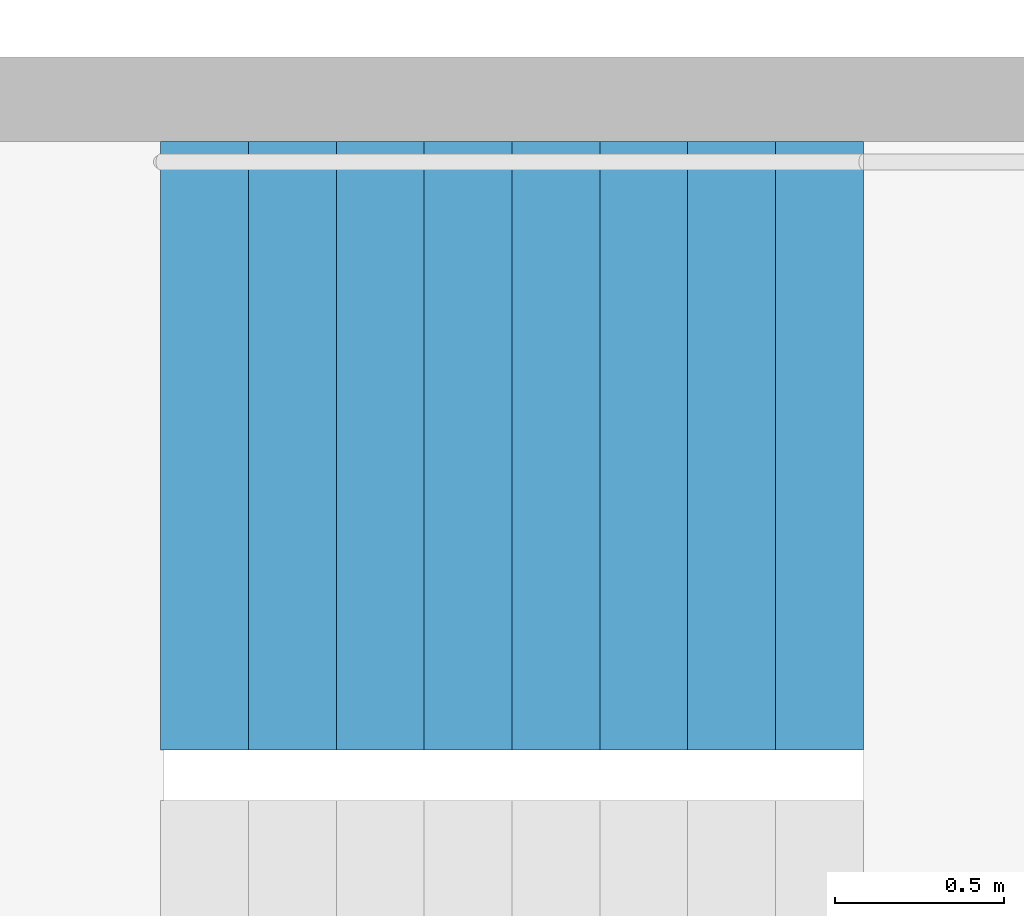
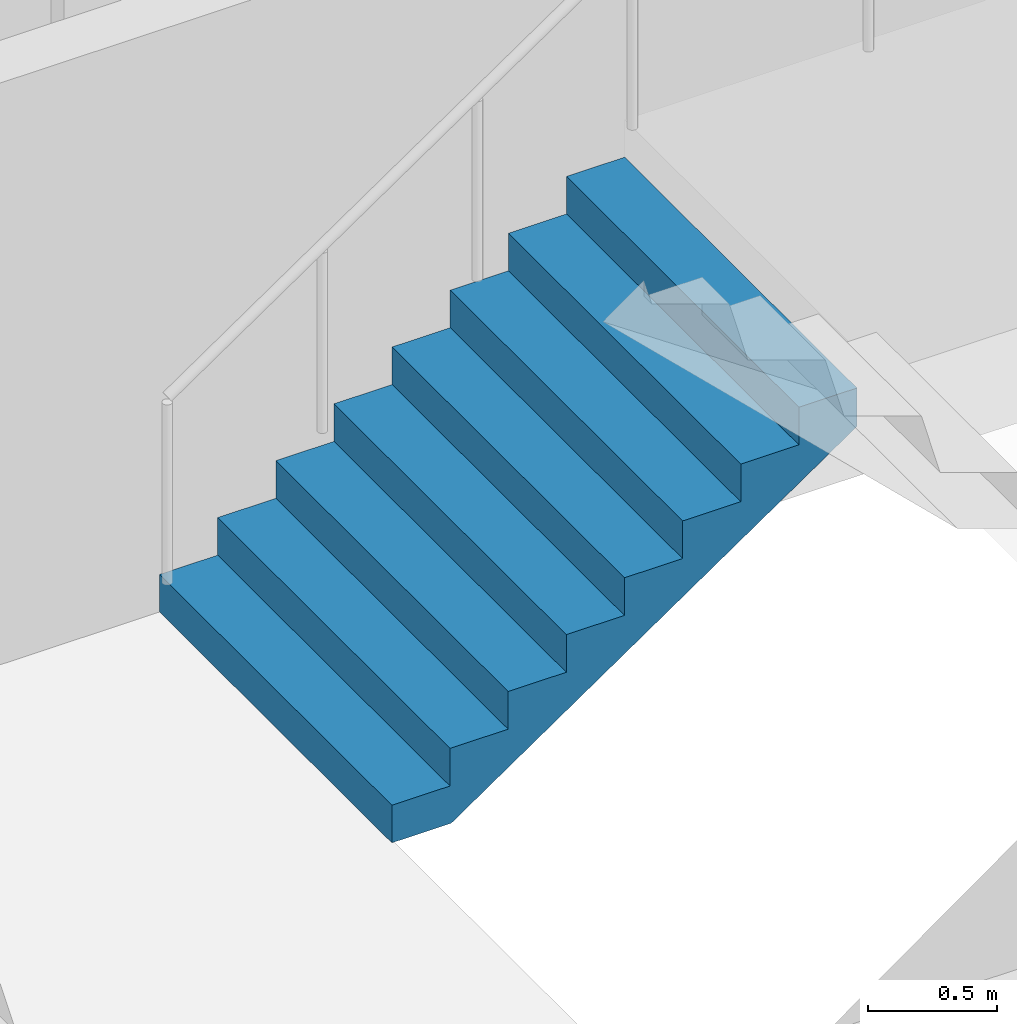
# One storey, part 23 of 26: 1 stair flight, 1 element without a shape of its own.
"""IFC4 building model written with IfcOpenShell, lengths in metres."""

from ifc_helpers import new_model, si_unit, direction, frame, origin, place, context, subcontext, project, spatial, triangles, material, type_object, element, aggregate, save


model = new_model("IFC4")

# Units and contexts
model_context = context("Model", 3, precision=1e-05, world=origin(), true_north=direction((0.0, 1.0)))
body_context = subcontext(model_context, "Body", "Model", "MODEL_VIEW")
ifc_project = project(units=[si_unit("LENGTHUNIT", "METRE"), si_unit("AREAUNIT", "SQUARE_METRE"), si_unit("VOLUMEUNIT", "CUBIC_METRE"), si_unit("PLANEANGLEUNIT", "RADIAN"), si_unit("MASSUNIT", "GRAM", prefix="KILO")], contexts=[model_context])

# Site, building, storey
site_placement = place(None, origin())
site = spatial("IfcSite", under=ifc_project, at=site_placement, CompositionType="ELEMENT")
building_placement = place(site_placement, origin())
building = spatial("IfcBuilding", under=site, at=building_placement, Name="Hakoniwa Tower and Hamabe Station Hall", CompositionType="ELEMENT")
storey_placement = place(building_placement, frame((0.0, 0.0, 251.800048828125)))
storey = spatial("IfcBuildingStorey", under=building, at=storey_placement, Name="L71", CompositionType="ELEMENT", Elevation=251.800048828125)

# Stair, stair flight
ifc_material_1 = material(Name="Concrete C40", Category="concrete")
stair_type = type_object("IfcStairType", Name="ESCAPE STAIR 1800", PredefinedType="HALF_TURN_STAIR", material=ifc_material_1)
stair_placement = place(storey_placement, origin())
stair = element("IfcStair", 1, at=stair_placement, inside=storey, type_object=stair_type, Name="Escape stair ST-4 L71", PredefinedType="HALF_TURN_STAIR")
ifc_material_2 = material(Name="Concrete C40", Category="concrete")
stair_flight_type = type_object("IfcStairFlightType", Name="STAIR FLIGHT 1800", PredefinedType="STRAIGHT", material=ifc_material_2)
stair_flight_placement = place(storey_placement, frame((23.39990234375, -4.64990234375, 0.0), z_axis=(0.0, 0.0, 1.0), x_axis=(1.0, 0.0, 0.0)))
stair_flight = element("IfcStairFlight", 2, at=stair_flight_placement, type_object=stair_flight_type, Name="ST-4 flight 1", NumberOfRisers=9, NumberOfTreads=8, PredefinedType="STRAIGHT", RiserHeight=0.177777778, TreadLength=0.26, context=body_context, shape_type="Tessellation", body=[
    triangles([(0.0, 0.89990234375, 0.0), (0.260009765625, 0.89990234375, 0.0), (0.265625, 0.89990234375, 0.0), (0.52001953125, 0.89990234375, 0.174072265625), (0.780029296875, 0.89990234375, 0.351806640625), (1.0400390625, 0.89990234375, 0.529541015625), (1.300048828125, 0.89990234375, 0.707275390625), (1.56005859375, 0.89990234375, 0.885009765625), (1.820068359375, 0.89990234375, 1.062744140625), (2.080078125, 0.89990234375, 1.24072265625), (2.080078125, 0.89990234375, 1.422119140625), (1.820068359375, 0.89990234375, 1.422119140625), (1.820068359375, 0.89990234375, 1.244384765625), (1.56005859375, 0.89990234375, 1.244384765625), (1.56005859375, 0.89990234375, 1.066650390625), (1.300048828125, 0.89990234375, 1.066650390625), (1.300048828125, 0.89990234375, 0.888916015625), (1.0400390625, 0.89990234375, 0.888916015625), (1.0400390625, 0.89990234375, 0.711181640625), (0.780029296875, 0.89990234375, 0.711181640625), (0.780029296875, 0.89990234375, 0.533447265625), (0.52001953125, 0.89990234375, 0.533447265625), (0.52001953125, 0.89990234375, 0.35546875), (0.265625, 0.89990234375, 0.35546875), (0.260009765625, 0.89990234375, 0.35546875), (0.260009765625, 0.89990234375, 0.177734375), (0.0, 0.89990234375, 0.177734375), (0.0, 0.06005859375, 0.0), (0.260009765625, 0.06005859375, 0.0), (0.265625, 0.06005859375, 0.0), (0.52001953125, 0.06005859375, 0.174072265625), (0.780029296875, 0.06005859375, 0.351806640625), (1.0400390625, 0.06005859375, 0.529541015625), (1.300048828125, 0.06005859375, 0.707275390625), (1.56005859375, 0.06005859375, 0.885009765625), (1.820068359375, 0.06005859375, 1.062744140625), (2.080078125, 0.06005859375, 1.24072265625), (2.080078125, 0.06005859375, 1.422119140625), (1.820068359375, 0.06005859375, 1.422119140625), (1.820068359375, 0.06005859375, 1.244384765625), (1.56005859375, 0.06005859375, 1.244384765625), (1.56005859375, 0.06005859375, 1.066650390625), (1.300048828125, 0.06005859375, 1.066650390625), (1.300048828125, 0.06005859375, 0.888916015625), (1.0400390625, 0.06005859375, 0.888916015625), (1.0400390625, 0.06005859375, 0.711181640625), (0.780029296875, 0.06005859375, 0.711181640625), (0.780029296875, 0.06005859375, 0.533447265625), (0.52001953125, 0.06005859375, 0.533447265625), (0.52001953125, 0.06005859375, 0.35546875), (0.265625, 0.06005859375, 0.35546875), (0.260009765625, 0.06005859375, 0.35546875), (0.260009765625, 0.06005859375, 0.177734375), (0.0, 0.06005859375, 0.177734375), (0.0, 0.04296875, 0.0), (0.260009765625, 0.04296875, 0.0), (0.265625, 0.04296875, 0.0), (0.52001953125, 0.04296875, 0.174072265625), (0.780029296875, 0.04296875, 0.351806640625), (1.0400390625, 0.04296875, 0.529541015625), (1.300048828125, 0.04296875, 0.707275390625), (1.56005859375, 0.04296875, 0.885009765625), (1.820068359375, 0.04296875, 1.062744140625), (2.080078125, 0.04296875, 1.24072265625), (2.080078125, 0.04296875, 1.422119140625), (1.820068359375, 0.04296875, 1.422119140625), (1.820068359375, 0.04296875, 1.244384765625), (1.56005859375, 0.04296875, 1.244384765625), (1.56005859375, 0.04296875, 1.066650390625), (1.300048828125, 0.04296875, 1.066650390625), (1.300048828125, 0.04296875, 0.888916015625), (1.0400390625, 0.04296875, 0.888916015625), (1.0400390625, 0.04296875, 0.711181640625), (0.780029296875, 0.04296875, 0.711181640625), (0.780029296875, 0.04296875, 0.533447265625), (0.52001953125, 0.04296875, 0.533447265625), (0.52001953125, 0.04296875, 0.35546875), (0.265625, 0.04296875, 0.35546875), (0.260009765625, 0.04296875, 0.35546875), (0.260009765625, 0.04296875, 0.177734375), (0.0, 0.04296875, 0.177734375), (0.0, 0.025634765625, 0.0), (0.260009765625, 0.025634765625, 0.0), (0.265625, 0.025634765625, 0.0), (0.52001953125, 0.025634765625, 0.174072265625), (0.780029296875, 0.025634765625, 0.351806640625), (1.0400390625, 0.025634765625, 0.529541015625), (1.300048828125, 0.025634765625, 0.707275390625), (1.56005859375, 0.025634765625, 0.885009765625), (1.820068359375, 0.025634765625, 1.062744140625), (2.080078125, 0.025634765625, 1.24072265625), (2.080078125, 0.025634765625, 1.422119140625), (1.820068359375, 0.025634765625, 1.422119140625), (1.820068359375, 0.025634765625, 1.244384765625), (1.56005859375, 0.025634765625, 1.244384765625), (1.56005859375, 0.025634765625, 1.066650390625), (1.300048828125, 0.025634765625, 1.066650390625), (1.300048828125, 0.025634765625, 0.888916015625), (1.0400390625, 0.025634765625, 0.888916015625), (1.0400390625, 0.025634765625, 0.711181640625), (0.780029296875, 0.025634765625, 0.711181640625), (0.780029296875, 0.025634765625, 0.533447265625), (0.52001953125, 0.025634765625, 0.533447265625), (0.52001953125, 0.025634765625, 0.35546875), (0.265625, 0.025634765625, 0.35546875), (0.260009765625, 0.025634765625, 0.35546875), (0.260009765625, 0.025634765625, 0.177734375), (0.0, 0.025634765625, 0.177734375), (0.0, 0.008544921875, 0.0), (0.260009765625, 0.008544921875, 0.0), (0.265625, 0.008544921875, 0.0), (0.52001953125, 0.008544921875, 0.174072265625), (0.780029296875, 0.008544921875, 0.351806640625), (1.0400390625, 0.008544921875, 0.529541015625), (1.300048828125, 0.008544921875, 0.707275390625), (1.56005859375, 0.008544921875, 0.885009765625), (1.820068359375, 0.008544921875, 1.062744140625), (2.080078125, 0.008544921875, 1.24072265625), (2.080078125, 0.008544921875, 1.422119140625), (1.820068359375, 0.008544921875, 1.422119140625), (1.820068359375, 0.008544921875, 1.244384765625), (1.56005859375, 0.008544921875, 1.244384765625), (1.56005859375, 0.008544921875, 1.066650390625), (1.300048828125, 0.008544921875, 1.066650390625), (1.300048828125, 0.008544921875, 0.888916015625), (1.0400390625, 0.008544921875, 0.888916015625), (1.0400390625, 0.008544921875, 0.711181640625), (0.780029296875, 0.008544921875, 0.711181640625), (0.780029296875, 0.008544921875, 0.533447265625), (0.52001953125, 0.008544921875, 0.533447265625), (0.52001953125, 0.008544921875, 0.35546875), (0.265625, 0.008544921875, 0.35546875), (0.260009765625, 0.008544921875, 0.35546875), (0.260009765625, 0.008544921875, 0.177734375), (0.0, 0.008544921875, 0.177734375), (0.0, -0.008544921875, 0.0), (0.260009765625, -0.008544921875, 0.0), (0.265625, -0.008544921875, 0.0), (0.52001953125, -0.008544921875, 0.174072265625), (0.780029296875, -0.008544921875, 0.351806640625), (1.0400390625, -0.008544921875, 0.529541015625), (1.300048828125, -0.008544921875, 0.707275390625), (1.56005859375, -0.008544921875, 0.885009765625), (1.820068359375, -0.008544921875, 1.062744140625), (2.080078125, -0.008544921875, 1.24072265625), (2.080078125, -0.008544921875, 1.422119140625), (1.820068359375, -0.008544921875, 1.422119140625), (1.820068359375, -0.008544921875, 1.244384765625), (1.56005859375, -0.008544921875, 1.244384765625), (1.56005859375, -0.008544921875, 1.066650390625), (1.300048828125, -0.008544921875, 1.066650390625), (1.300048828125, -0.008544921875, 0.888916015625), (1.0400390625, -0.008544921875, 0.888916015625), (1.0400390625, -0.008544921875, 0.711181640625), (0.780029296875, -0.008544921875, 0.711181640625), (0.780029296875, -0.008544921875, 0.533447265625), (0.52001953125, -0.008544921875, 0.533447265625), (0.52001953125, -0.008544921875, 0.35546875), (0.265625, -0.008544921875, 0.35546875), (0.260009765625, -0.008544921875, 0.35546875), (0.260009765625, -0.008544921875, 0.177734375), (0.0, -0.008544921875, 0.177734375), (0.0, -0.025634765625, 0.0), (0.260009765625, -0.025634765625, 0.0), (0.265625, -0.025634765625, 0.0), (0.52001953125, -0.025634765625, 0.174072265625), (0.780029296875, -0.025634765625, 0.351806640625), (1.0400390625, -0.025634765625, 0.529541015625), (1.300048828125, -0.025634765625, 0.707275390625), (1.56005859375, -0.025634765625, 0.885009765625), (1.820068359375, -0.025634765625, 1.062744140625), (2.080078125, -0.025634765625, 1.24072265625), (2.080078125, -0.025634765625, 1.422119140625), (1.820068359375, -0.025634765625, 1.422119140625), (1.820068359375, -0.025634765625, 1.244384765625), (1.56005859375, -0.025634765625, 1.244384765625), (1.56005859375, -0.025634765625, 1.066650390625), (1.300048828125, -0.025634765625, 1.066650390625), (1.300048828125, -0.025634765625, 0.888916015625), (1.0400390625, -0.025634765625, 0.888916015625), (1.0400390625, -0.025634765625, 0.711181640625), (0.780029296875, -0.025634765625, 0.711181640625), (0.780029296875, -0.025634765625, 0.533447265625), (0.52001953125, -0.025634765625, 0.533447265625), (0.52001953125, -0.025634765625, 0.35546875), (0.265625, -0.025634765625, 0.35546875), (0.260009765625, -0.025634765625, 0.35546875), (0.260009765625, -0.025634765625, 0.177734375), (0.0, -0.025634765625, 0.177734375), (0.0, -0.04296875, 0.0), (0.260009765625, -0.04296875, 0.0), (0.265625, -0.04296875, 0.0), (0.52001953125, -0.04296875, 0.174072265625), (0.780029296875, -0.04296875, 0.351806640625), (1.0400390625, -0.04296875, 0.529541015625), (1.300048828125, -0.04296875, 0.707275390625), (1.56005859375, -0.04296875, 0.885009765625), (1.820068359375, -0.04296875, 1.062744140625), (2.080078125, -0.04296875, 1.24072265625), (2.080078125, -0.04296875, 1.422119140625), (1.820068359375, -0.04296875, 1.422119140625), (1.820068359375, -0.04296875, 1.244384765625), (1.56005859375, -0.04296875, 1.244384765625), (1.56005859375, -0.04296875, 1.066650390625), (1.300048828125, -0.04296875, 1.066650390625), (1.300048828125, -0.04296875, 0.888916015625), (1.0400390625, -0.04296875, 0.888916015625), (1.0400390625, -0.04296875, 0.711181640625), (0.780029296875, -0.04296875, 0.711181640625), (0.780029296875, -0.04296875, 0.533447265625), (0.52001953125, -0.04296875, 0.533447265625), (0.52001953125, -0.04296875, 0.35546875), (0.265625, -0.04296875, 0.35546875), (0.260009765625, -0.04296875, 0.35546875), (0.260009765625, -0.04296875, 0.177734375), (0.0, -0.04296875, 0.177734375), (0.0, -0.06005859375, 0.0), (0.260009765625, -0.06005859375, 0.0), (0.265625, -0.06005859375, 0.0), (0.52001953125, -0.06005859375, 0.174072265625), (0.780029296875, -0.06005859375, 0.351806640625), (1.0400390625, -0.06005859375, 0.529541015625), (1.300048828125, -0.06005859375, 0.707275390625), (1.56005859375, -0.06005859375, 0.885009765625), (1.820068359375, -0.06005859375, 1.062744140625), (2.080078125, -0.06005859375, 1.24072265625), (2.080078125, -0.06005859375, 1.422119140625), (1.820068359375, -0.06005859375, 1.422119140625), (1.820068359375, -0.06005859375, 1.244384765625), (1.56005859375, -0.06005859375, 1.244384765625), (1.56005859375, -0.06005859375, 1.066650390625), (1.300048828125, -0.06005859375, 1.066650390625), (1.300048828125, -0.06005859375, 0.888916015625), (1.0400390625, -0.06005859375, 0.888916015625), (1.0400390625, -0.06005859375, 0.711181640625), (0.780029296875, -0.06005859375, 0.711181640625), (0.780029296875, -0.06005859375, 0.533447265625), (0.52001953125, -0.06005859375, 0.533447265625), (0.52001953125, -0.06005859375, 0.35546875), (0.265625, -0.06005859375, 0.35546875), (0.260009765625, -0.06005859375, 0.35546875), (0.260009765625, -0.06005859375, 0.177734375), (0.0, -0.06005859375, 0.177734375), (0.0, -0.89990234375, 0.0), (0.260009765625, -0.89990234375, 0.0), (0.265625, -0.89990234375, 0.0), (0.52001953125, -0.89990234375, 0.174072265625), (0.780029296875, -0.89990234375, 0.351806640625), (1.0400390625, -0.89990234375, 0.529541015625), (1.300048828125, -0.89990234375, 0.707275390625), (1.56005859375, -0.89990234375, 0.885009765625), (1.820068359375, -0.89990234375, 1.062744140625), (2.080078125, -0.89990234375, 1.24072265625), (2.080078125, -0.89990234375, 1.422119140625), (1.820068359375, -0.89990234375, 1.422119140625), (1.820068359375, -0.89990234375, 1.244384765625), (1.56005859375, -0.89990234375, 1.244384765625), (1.56005859375, -0.89990234375, 1.066650390625), (1.300048828125, -0.89990234375, 1.066650390625), (1.300048828125, -0.89990234375, 0.888916015625), (1.0400390625, -0.89990234375, 0.888916015625), (1.0400390625, -0.89990234375, 0.711181640625), (0.780029296875, -0.89990234375, 0.711181640625), (0.780029296875, -0.89990234375, 0.533447265625), (0.52001953125, -0.89990234375, 0.533447265625), (0.52001953125, -0.89990234375, 0.35546875), (0.265625, -0.89990234375, 0.35546875), (0.260009765625, -0.89990234375, 0.35546875), (0.260009765625, -0.89990234375, 0.177734375), (0.0, -0.89990234375, 0.177734375)], [[2, 27, 26], [245, 269, 270], [2, 1, 27], [245, 270, 244], [3, 25, 24], [246, 267, 268], [3, 26, 25], [246, 268, 269], [3, 2, 26], [246, 269, 245], [4, 24, 23], [247, 266, 267], [4, 3, 24], [247, 267, 246], [5, 22, 21], [248, 264, 265], [5, 23, 22], [248, 265, 266], [5, 4, 23], [248, 266, 247], [6, 20, 19], [249, 262, 263], [6, 21, 20], [249, 263, 264], [6, 5, 21], [249, 264, 248], [7, 18, 17], [250, 260, 261], [7, 19, 18], [250, 261, 262], [7, 6, 19], [250, 262, 249], [8, 16, 15], [251, 258, 259], [8, 17, 16], [251, 259, 260], [8, 7, 17], [251, 260, 250], [9, 14, 13], [252, 256, 257], [9, 15, 14], [252, 257, 258], [9, 8, 15], [252, 258, 251], [10, 12, 11], [253, 254, 255], [10, 13, 12], [253, 255, 256], [10, 9, 13], [253, 256, 252], [1, 2, 29], [1, 29, 28], [28, 29, 56], [28, 56, 55], [55, 56, 83], [55, 83, 82], [82, 83, 110], [82, 110, 109], [109, 110, 137], [109, 137, 136], [136, 137, 164], [136, 164, 163], [163, 164, 191], [163, 191, 190], [190, 191, 218], [190, 218, 217], [217, 218, 245], [217, 245, 244], [2, 3, 30], [2, 30, 29], [29, 30, 57], [29, 57, 56], [56, 57, 84], [56, 84, 83], [83, 84, 111], [83, 111, 110], [110, 111, 138], [110, 138, 137], [137, 138, 165], [137, 165, 164], [164, 165, 192], [164, 192, 191], [191, 192, 219], [191, 219, 218], [218, 219, 246], [218, 246, 245], [3, 4, 31], [3, 31, 30], [30, 31, 58], [30, 58, 57], [57, 58, 85], [57, 85, 84], [84, 85, 112], [84, 112, 111], [111, 112, 139], [111, 139, 138], [138, 139, 166], [138, 166, 165], [165, 166, 193], [165, 193, 192], [192, 193, 220], [192, 220, 219], [219, 220, 247], [219, 247, 246], [4, 5, 32], [4, 32, 31], [31, 32, 59], [31, 59, 58], [58, 59, 86], [58, 86, 85], [85, 86, 113], [85, 113, 112], [112, 113, 140], [112, 140, 139], [139, 140, 167], [139, 167, 166], [166, 167, 194], [166, 194, 193], [193, 194, 221], [193, 221, 220], [220, 221, 248], [220, 248, 247], [5, 6, 33], [5, 33, 32], [32, 33, 60], [32, 60, 59], [59, 60, 87], [59, 87, 86], [86, 87, 114], [86, 114, 113], [113, 114, 141], [113, 141, 140], [140, 141, 168], [140, 168, 167], [167, 168, 195], [167, 195, 194], [194, 195, 222], [194, 222, 221], [221, 222, 249], [221, 249, 248], [6, 7, 34], [6, 34, 33], [33, 34, 61], [33, 61, 60], [60, 61, 88], [60, 88, 87], [87, 88, 115], [87, 115, 114], [114, 115, 142], [114, 142, 141], [141, 142, 169], [141, 169, 168], [168, 169, 196], [168, 196, 195], [195, 196, 223], [195, 223, 222], [222, 223, 250], [222, 250, 249], [7, 8, 35], [7, 35, 34], [34, 35, 62], [34, 62, 61], [61, 62, 89], [61, 89, 88], [88, 89, 116], [88, 116, 115], [115, 116, 143], [115, 143, 142], [142, 143, 170], [142, 170, 169], [169, 170, 197], [169, 197, 196], [196, 197, 224], [196, 224, 223], [223, 224, 251], [223, 251, 250], [8, 9, 36], [8, 36, 35], [35, 36, 63], [35, 63, 62], [62, 63, 90], [62, 90, 89], [89, 90, 117], [89, 117, 116], [116, 117, 144], [116, 144, 143], [143, 144, 171], [143, 171, 170], [170, 171, 198], [170, 198, 197], [197, 198, 225], [197, 225, 224], [224, 225, 252], [224, 252, 251], [9, 10, 37], [9, 37, 36], [36, 37, 64], [36, 64, 63], [63, 64, 91], [63, 91, 90], [90, 91, 118], [90, 118, 117], [117, 118, 145], [117, 145, 144], [144, 145, 172], [144, 172, 171], [171, 172, 199], [171, 199, 198], [198, 199, 226], [198, 226, 225], [225, 226, 253], [225, 253, 252], [10, 11, 38], [10, 38, 37], [37, 38, 65], [37, 65, 64], [64, 65, 92], [64, 92, 91], [91, 92, 119], [91, 119, 118], [118, 119, 146], [118, 146, 145], [145, 146, 173], [145, 173, 172], [172, 173, 200], [172, 200, 199], [199, 200, 227], [199, 227, 226], [226, 227, 254], [226, 254, 253], [11, 12, 39], [11, 39, 38], [38, 39, 66], [38, 66, 65], [65, 66, 93], [65, 93, 92], [92, 93, 120], [92, 120, 119], [119, 120, 147], [119, 147, 146], [146, 147, 174], [146, 174, 173], [173, 174, 201], [173, 201, 200], [200, 201, 228], [200, 228, 227], [227, 228, 255], [227, 255, 254], [12, 13, 40], [12, 40, 39], [39, 40, 67], [39, 67, 66], [66, 67, 94], [66, 94, 93], [93, 94, 121], [93, 121, 120], [120, 121, 148], [120, 148, 147], [147, 148, 175], [147, 175, 174], [174, 175, 202], [174, 202, 201], [201, 202, 229], [201, 229, 228], [228, 229, 256], [228, 256, 255], [13, 14, 41], [13, 41, 40], [40, 41, 68], [40, 68, 67], [67, 68, 95], [67, 95, 94], [94, 95, 122], [94, 122, 121], [121, 122, 149], [121, 149, 148], [148, 149, 176], [148, 176, 175], [175, 176, 203], [175, 203, 202], [202, 203, 230], [202, 230, 229], [229, 230, 257], [229, 257, 256], [14, 15, 42], [14, 42, 41], [41, 42, 69], [41, 69, 68], [68, 69, 96], [68, 96, 95], [95, 96, 123], [95, 123, 122], [122, 123, 150], [122, 150, 149], [149, 150, 177], [149, 177, 176], [176, 177, 204], [176, 204, 203], [203, 204, 231], [203, 231, 230], [230, 231, 258], [230, 258, 257], [15, 16, 43], [15, 43, 42], [42, 43, 70], [42, 70, 69], [69, 70, 97], [69, 97, 96], [96, 97, 124], [96, 124, 123], [123, 124, 151], [123, 151, 150], [150, 151, 178], [150, 178, 177], [177, 178, 205], [177, 205, 204], [204, 205, 232], [204, 232, 231], [231, 232, 259], [231, 259, 258], [16, 17, 44], [16, 44, 43], [43, 44, 71], [43, 71, 70], [70, 71, 98], [70, 98, 97], [97, 98, 125], [97, 125, 124], [124, 125, 152], [124, 152, 151], [151, 152, 179], [151, 179, 178], [178, 179, 206], [178, 206, 205], [205, 206, 233], [205, 233, 232], [232, 233, 260], [232, 260, 259], [17, 18, 45], [17, 45, 44], [44, 45, 72], [44, 72, 71], [71, 72, 99], [71, 99, 98], [98, 99, 126], [98, 126, 125], [125, 126, 153], [125, 153, 152], [152, 153, 180], [152, 180, 179], [179, 180, 207], [179, 207, 206], [206, 207, 234], [206, 234, 233], [233, 234, 261], [233, 261, 260], [18, 19, 46], [18, 46, 45], [45, 46, 73], [45, 73, 72], [72, 73, 100], [72, 100, 99], [99, 100, 127], [99, 127, 126], [126, 127, 154], [126, 154, 153], [153, 154, 181], [153, 181, 180], [180, 181, 208], [180, 208, 207], [207, 208, 235], [207, 235, 234], [234, 235, 262], [234, 262, 261], [19, 20, 47], [19, 47, 46], [46, 47, 74], [46, 74, 73], [73, 74, 101], [73, 101, 100], [100, 101, 128], [100, 128, 127], [127, 128, 155], [127, 155, 154], [154, 155, 182], [154, 182, 181], [181, 182, 209], [181, 209, 208], [208, 209, 236], [208, 236, 235], [235, 236, 263], [235, 263, 262], [20, 21, 48], [20, 48, 47], [47, 48, 75], [47, 75, 74], [74, 75, 102], [74, 102, 101], [101, 102, 129], [101, 129, 128], [128, 129, 156], [128, 156, 155], [155, 156, 183], [155, 183, 182], [182, 183, 210], [182, 210, 209], [209, 210, 237], [209, 237, 236], [236, 237, 264], [236, 264, 263], [21, 22, 49], [21, 49, 48], [48, 49, 76], [48, 76, 75], [75, 76, 103], [75, 103, 102], [102, 103, 130], [102, 130, 129], [129, 130, 157], [129, 157, 156], [156, 157, 184], [156, 184, 183], [183, 184, 211], [183, 211, 210], [210, 211, 238], [210, 238, 237], [237, 238, 265], [237, 265, 264], [22, 23, 50], [22, 50, 49], [49, 50, 77], [49, 77, 76], [76, 77, 104], [76, 104, 103], [103, 104, 131], [103, 131, 130], [130, 131, 158], [130, 158, 157], [157, 158, 185], [157, 185, 184], [184, 185, 212], [184, 212, 211], [211, 212, 239], [211, 239, 238], [238, 239, 266], [238, 266, 265], [23, 24, 51], [23, 51, 50], [50, 51, 78], [50, 78, 77], [77, 78, 105], [77, 105, 104], [104, 105, 132], [104, 132, 131], [131, 132, 159], [131, 159, 158], [158, 159, 186], [158, 186, 185], [185, 186, 213], [185, 213, 212], [212, 213, 240], [212, 240, 239], [239, 240, 267], [239, 267, 266], [24, 25, 52], [24, 52, 51], [51, 52, 79], [51, 79, 78], [78, 79, 106], [78, 106, 105], [105, 106, 133], [105, 133, 132], [132, 133, 160], [132, 160, 159], [159, 160, 187], [159, 187, 186], [186, 187, 214], [186, 214, 213], [213, 214, 241], [213, 241, 240], [240, 241, 268], [240, 268, 267], [25, 26, 53], [25, 53, 52], [52, 53, 80], [52, 80, 79], [79, 80, 107], [79, 107, 106], [106, 107, 134], [106, 134, 133], [133, 134, 161], [133, 161, 160], [160, 161, 188], [160, 188, 187], [187, 188, 215], [187, 215, 214], [214, 215, 242], [214, 242, 241], [241, 242, 269], [241, 269, 268], [26, 27, 54], [26, 54, 53], [53, 54, 81], [53, 81, 80], [80, 81, 108], [80, 108, 107], [107, 108, 135], [107, 135, 134], [134, 135, 162], [134, 162, 161], [161, 162, 189], [161, 189, 188], [188, 189, 216], [188, 216, 215], [215, 216, 243], [215, 243, 242], [242, 243, 270], [242, 270, 269], [27, 1, 28], [27, 28, 54], [54, 28, 55], [54, 55, 81], [81, 55, 82], [81, 82, 108], [108, 82, 109], [108, 109, 135], [135, 109, 136], [135, 136, 162], [162, 136, 163], [162, 163, 189], [189, 163, 190], [189, 190, 216], [216, 190, 217], [216, 217, 243], [243, 217, 244], [243, 244, 270]], closed=True),
])
aggregate(stair, [stair_flight])

save(model, "model.ifc")
